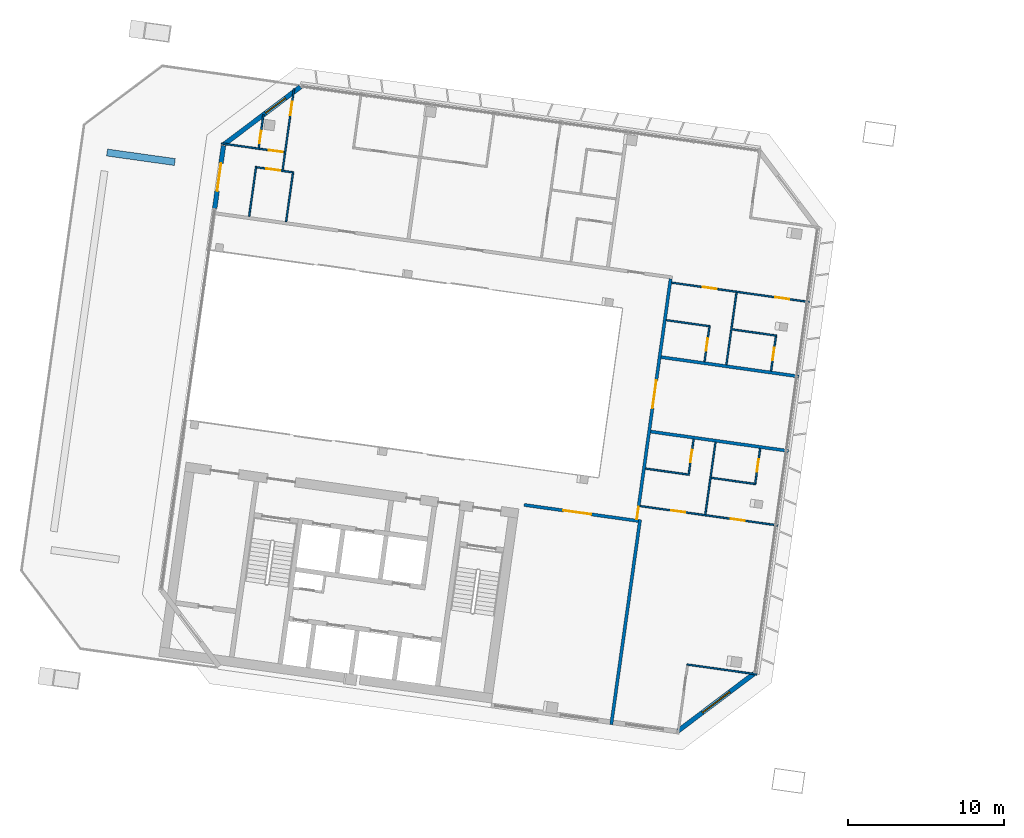
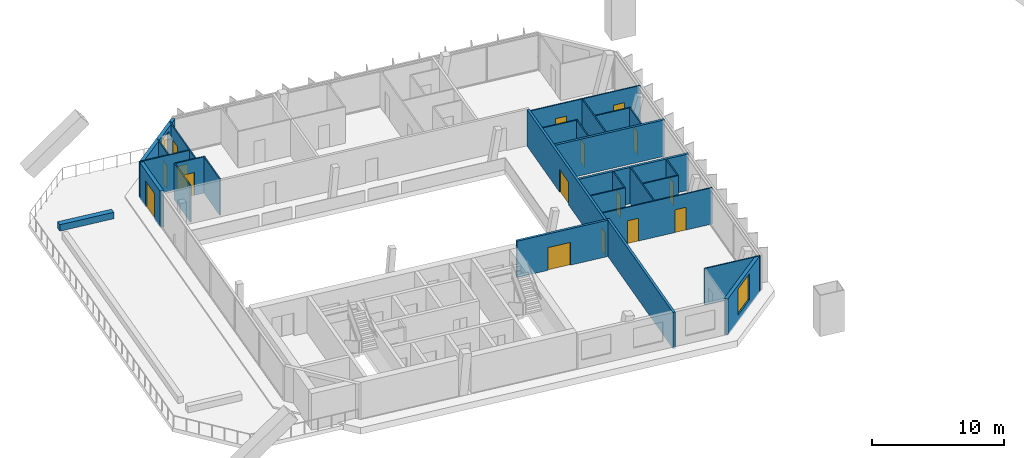
# One storey, part 10 of 17: 28 walls, 16 doors, 2 windows, 18 openings.
"""IFC4 building model written with IfcOpenShell, lengths in metres."""

from ifc_helpers import new_model, si_unit, direction, frame, frame_2d, origin, place, context, subcontext, project, spatial, rectangle, extrude, material, layer, layer_set, type_object, element, fill, save


model = new_model("IFC4")

# Units and contexts
model_context = context("Model", 3, precision=1e-05, world=origin(), true_north=direction((0.0, 1.0)))
body_context = subcontext(model_context, "Body", "Model", "MODEL_VIEW")
ifc_project = project(units=[si_unit("LENGTHUNIT", "METRE"), si_unit("AREAUNIT", "SQUARE_METRE"), si_unit("VOLUMEUNIT", "CUBIC_METRE"), si_unit("PLANEANGLEUNIT", "RADIAN"), si_unit("MASSUNIT", "GRAM", prefix="KILO")], contexts=[model_context])

# Site, building, storey
site_placement = place(None, origin())
site = spatial("IfcSite", under=ifc_project, at=site_placement, CompositionType="ELEMENT")
building_placement = place(site_placement, origin())
building = spatial("IfcBuilding", under=site, at=building_placement, Name="Mirante Cascada Hotel Towers", CompositionType="ELEMENT")
storey_placement = place(building_placement, frame((0.0, 0.0, 250.8)))
storey = spatial("IfcBuildingStorey", under=building, at=storey_placement, Name="L60", CompositionType="ELEMENT", Elevation=250.8)

# Wall, opening, door
ifc_material_1 = material(Name="Fire-rated plasterboard on metal studs")
ifc_layer_1 = layer(ifc_material_1, 0.2)
ifc_layer_set_1 = layer_set([ifc_layer_1], Name="Compartment wall 200 EI 120")
wall_type_1 = type_object("IfcWallType", Name="Compartment wall 200 EI 120", PredefinedType="PARTITIONING", material=ifc_layer_set_1)
wall_1_placement = place(storey_placement, frame((-35.2634, -7.1173, 0.0), z_axis=(0.0, 0.0, 1.0), x_axis=(0.9902678, -0.1391748, 0.0)))
wall_1 = element("IfcWall", 1, at=wall_1_placement, inside=storey, type_object=wall_type_1, Name="Wall 1-L60-02", PredefinedType="PARTITIONING", context=body_context, shape_type="SweptSolid", body=[
    extrude(rectangle(XDim=7.4108, YDim=0.2, at=frame_2d((3.7054, 0.0))), origin(), (0.0, 0.0, 1.0), 3.35),
])
opening_1_placement = place(wall_1_placement, frame((2.55, 0.0, 0.0)))
opening_1 = element("IfcOpeningElement", 2, at=opening_1_placement, cuts=wall_1, Name="Opening D1-L60-01", PredefinedType="OPENING", context=body_context, shape_type="SweptSolid", body=[
    extrude(rectangle(XDim=1.8, YDim=2.1, at=frame_2d((0.9, 1.05))), frame((0.0, 0.1, 0.0), z_axis=(0.0, -1.0, 0.0), x_axis=(1.0, 0.0, 0.0)), (0.0, 0.0, 1.0), 0.2),
])
ifc_material_2 = material(Name="Fire-rated timber door leaf", Category="wood")
door_type_1 = type_object("IfcDoorType", Name="Suite double door DG2 1800x2100 EI 60", OperationType="DOUBLE_DOOR_SINGLE_SWING", PredefinedType="DOOR", material=ifc_material_2)
door_1_placement = place(opening_1_placement, origin())
door_1 = element("IfcDoor", 3, at=door_1_placement, inside=storey, type_object=door_type_1, Name="Door D1-L60-01", OperationType="DOUBLE_DOOR_SINGLE_SWING", OverallHeight=2.1, OverallWidth=1.8, PredefinedType="DOOR", context=body_context, shape_type="SweptSolid", body=[
    extrude(rectangle(XDim=0.895, YDim=2.1, at=frame_2d((0.4475, 1.05))), frame((0.0, 0.025, 0.0), z_axis=(0.0, -1.0, 0.0), x_axis=(1.0, 0.0, 0.0)), (0.0, 0.0, 1.0), 0.05),
    extrude(rectangle(XDim=0.895, YDim=2.1, at=frame_2d((1.3525, 1.05))), frame((0.0, 0.025, 0.0), z_axis=(0.0, -1.0, 0.0), x_axis=(1.0, 0.0, 0.0)), (0.0, 0.0, 1.0), 0.05),
])
fill(opening_1, door_1)

# Walls
wall_2_placement = place(storey_placement, frame((-27.1282, -2.4036, 0.0), z_axis=(0.0, 0.0, 1.0), x_axis=(0.9902686, -0.1391696, 0.0)))
element("IfcWall", 4, at=wall_2_placement, inside=storey, type_object=wall_type_1, Name="Wall 1-L60-06", PredefinedType="PARTITIONING", context=body_context, shape_type="SweptSolid", body=[
    extrude(rectangle(XDim=8.9359, YDim=0.2, at=frame_2d((4.468, 0.0))), origin(), (0.0, 0.0, 1.0), 3.35),
])
wall_3_placement = place(storey_placement, frame((-17.6066, 1.139, 0.0), z_axis=(0.0, 0.0, 1.0), x_axis=(-0.9902672, 0.139179, 0.0)))
element("IfcWall", 5, at=wall_3_placement, inside=storey, type_object=wall_type_1, Name="Wall 1-L60-07", PredefinedType="PARTITIONING", context=body_context, shape_type="SweptSolid", body=[
    extrude(rectangle(XDim=8.936, YDim=0.2, at=frame_2d((4.468, 0.0))), origin(), (0.0, 0.0, 1.0), 3.35),
])
wall_4_placement = place(storey_placement, frame((-29.6628, -21.2341, 0.0), z_axis=(0.0, 0.0, 1.0), x_axis=(0.1391736, 0.990268, 0.0)))
element("IfcWall", 6, at=wall_4_placement, inside=storey, type_object=wall_type_1, Name="Wall 1-L60-27", PredefinedType="PARTITIONING", context=body_context, shape_type="SweptSolid", body=[
    extrude(rectangle(XDim=13.2999, YDim=0.2, at=frame_2d((6.65, 0.0))), origin(), (0.0, 0.0, 1.0), 3.35),
])

# Wall, openings, doors
wall_5_placement = place(storey_placement, frame((-25.8494, 7.414, 0.0), z_axis=(0.0, 0.0, 1.0), x_axis=(-0.1391783, -0.9902673, 0.0)))
wall_5 = element("IfcWall", 7, at=wall_5_placement, inside=storey, type_object=wall_type_1, Name="Wall 1-L60-28", PredefinedType="PARTITIONING", context=body_context, shape_type="SweptSolid", body=[
    extrude(rectangle(XDim=15.7, YDim=0.2, at=frame_2d((7.85, 0.0))), origin(), (0.0, 0.0, 1.0), 3.35),
])
opening_2_placement = place(wall_5_placement, frame((14.795, 0.0, 0.0)))
opening_2 = element("IfcOpeningElement", 8, at=opening_2_placement, cuts=wall_5, Name="Opening D1-L60-21", PredefinedType="OPENING", context=body_context, shape_type="SweptSolid", body=[
    extrude(rectangle(XDim=0.8, YDim=2.1, at=frame_2d((0.4, 1.05))), frame((0.0, 0.1, 0.0), z_axis=(0.0, -1.0, 0.0), x_axis=(1.0, 0.0, 0.0)), (0.0, 0.0, 1.0), 0.2),
])
opening_3_placement = place(wall_5_placement, frame((6.5834, 0.0, 0.0)))
opening_3 = element("IfcOpeningElement", 9, at=opening_3_placement, cuts=wall_5, Name="Opening D1-L60-22", PredefinedType="OPENING", context=body_context, shape_type="SweptSolid", body=[
    extrude(rectangle(XDim=1.8, YDim=2.1, at=frame_2d((0.9, 1.05))), frame((0.0, 0.1, 0.0), z_axis=(0.0, -1.0, 0.0), x_axis=(1.0, 0.0, 0.0)), (0.0, 0.0, 1.0), 0.2),
])
ifc_material_3 = material(Name="Fire-rated timber door leaf", Category="wood")
door_type_2 = type_object("IfcDoorType", Name="Bathroom door DG4 800x2100 EI 60", OperationType="SINGLE_SWING_LEFT", PredefinedType="DOOR", material=ifc_material_3)
door_2_placement = place(opening_2_placement, origin())
door_2 = element("IfcDoor", 10, at=door_2_placement, inside=storey, type_object=door_type_2, Name="Door D1-L60-21", OperationType="SINGLE_SWING_LEFT", OverallHeight=2.1, OverallWidth=0.8, PredefinedType="DOOR", context=body_context, shape_type="SweptSolid", body=[
    extrude(rectangle(XDim=0.8, YDim=2.1, at=frame_2d((0.4, 1.05))), frame((0.0, 0.025, 0.0), z_axis=(0.0, -1.0, 0.0), x_axis=(1.0, 0.0, 0.0)), (0.0, 0.0, 1.0), 0.05),
])
fill(opening_2, door_2)
door_3_placement = place(opening_3_placement, origin())
door_3 = element("IfcDoor", 11, at=door_3_placement, inside=storey, type_object=door_type_1, Name="Door D1-L60-22", OperationType="DOUBLE_DOOR_SINGLE_SWING", OverallHeight=2.1, OverallWidth=1.8, PredefinedType="DOOR", context=body_context, shape_type="SweptSolid", body=[
    extrude(rectangle(XDim=0.895, YDim=2.1, at=frame_2d((0.4475, 1.05))), frame((0.0, 0.025, 0.0), z_axis=(0.0, -1.0, 0.0), x_axis=(1.0, 0.0, 0.0)), (0.0, 0.0, 1.0), 0.05),
    extrude(rectangle(XDim=0.895, YDim=2.1, at=frame_2d((1.3525, 1.05))), frame((0.0, 0.025, 0.0), z_axis=(0.0, -1.0, 0.0), x_axis=(1.0, 0.0, 0.0)), (0.0, 0.0, 1.0), 0.05),
])
fill(opening_3, door_3)

# Wall
ifc_material_4 = material(Name="Plasterboard on metal studs")
ifc_layer_2 = layer(ifc_material_4, 0.1)
ifc_layer_set_2 = layer_set([ifc_layer_2], Name="Partition 100")
wall_type_2 = type_object("IfcWallType", Name="Partition 100", PredefinedType="PARTITIONING", material=ifc_layer_set_2)
wall_6_placement = place(storey_placement, frame((-20.2973, -18.0061, 0.0), z_axis=(0.0, 0.0, 1.0), x_axis=(-0.9902691, 0.1391656, 0.0)))
element("IfcWall", 12, at=wall_6_placement, inside=storey, type_object=wall_type_2, Name="Wall 1-L60-01", PredefinedType="PARTITIONING", context=body_context, shape_type="SweptSolid", body=[
    extrude(rectangle(XDim=4.55, YDim=0.1, at=frame_2d((2.275, 0.0))), origin(), (0.0, 0.0, 1.0), 3.35),
])

# Wall, openings, doors
wall_7_placement = place(storey_placement, frame((-18.952, -8.4335, 0.0), z_axis=(0.0, 0.0, 1.0), x_axis=(-0.9902686, 0.1391696, 0.0)))
wall_7 = element("IfcWall", 13, at=wall_7_placement, inside=storey, type_object=wall_type_2, Name="Wall 1-L60-03", PredefinedType="PARTITIONING", context=body_context, shape_type="SweptSolid", body=[
    extrude(rectangle(XDim=8.9359, YDim=0.1, at=frame_2d((4.468, 0.0))), origin(), (0.0, 0.0, 1.0), 3.35),
])
opening_4_placement = place(wall_7_placement, frame((2.15, 0.0, 0.0)))
opening_4 = element("IfcOpeningElement", 14, at=opening_4_placement, cuts=wall_7, Name="Opening D1-L60-02", PredefinedType="OPENING", context=body_context, shape_type="SweptSolid", body=[
    extrude(rectangle(XDim=0.9, YDim=2.1, at=frame_2d((0.45, 1.05))), frame((0.0, 0.05, 0.0), z_axis=(0.0, -1.0, 0.0), x_axis=(1.0, 0.0, 0.0)), (0.0, 0.0, 1.0), 0.1),
])
opening_5_placement = place(wall_7_placement, frame((6.0269, 0.0, 0.0)))
opening_5 = element("IfcOpeningElement", 15, at=opening_5_placement, cuts=wall_7, Name="Opening D1-L60-03", PredefinedType="OPENING", context=body_context, shape_type="SweptSolid", body=[
    extrude(rectangle(XDim=0.9, YDim=2.1, at=frame_2d((0.45, 1.05))), frame((0.0, 0.05, 0.0), z_axis=(0.0, -1.0, 0.0), x_axis=(1.0, 0.0, 0.0)), (0.0, 0.0, 1.0), 0.1),
])
ifc_material_5 = material(Name="Timber door leaf", Category="wood")
door_type_3 = type_object("IfcDoorType", Name="Room door DG3 900x2100", OperationType="SINGLE_SWING_LEFT", PredefinedType="DOOR", material=ifc_material_5)
door_4_placement = place(opening_4_placement, origin())
door_4 = element("IfcDoor", 16, at=door_4_placement, inside=storey, type_object=door_type_3, Name="Door D1-L60-02", OperationType="SINGLE_SWING_LEFT", OverallHeight=2.1, OverallWidth=0.9, PredefinedType="DOOR", context=body_context, shape_type="SweptSolid", body=[
    extrude(rectangle(XDim=0.9, YDim=2.1, at=frame_2d((0.45, 1.05))), frame((0.0, 0.025, 0.0), z_axis=(0.0, -1.0, 0.0), x_axis=(1.0, 0.0, 0.0)), (0.0, 0.0, 1.0), 0.05),
])
fill(opening_4, door_4)
door_5_placement = place(opening_5_placement, origin())
door_5 = element("IfcDoor", 17, at=door_5_placement, inside=storey, type_object=door_type_3, Name="Door D1-L60-03", OperationType="SINGLE_SWING_LEFT", OverallHeight=2.1, OverallWidth=0.9, PredefinedType="DOOR", context=body_context, shape_type="SweptSolid", body=[
    extrude(rectangle(XDim=0.9, YDim=2.1, at=frame_2d((0.45, 1.05))), frame((0.0, 0.025, 0.0), z_axis=(0.0, -1.0, 0.0), x_axis=(1.0, 0.0, 0.0)), (0.0, 0.0, 1.0), 0.05),
])
fill(opening_5, door_5)

# Walls
wall_8_placement = place(storey_placement, frame((-23.2358, -5.3742, 0.0), z_axis=(0.0, 0.0, 1.0), x_axis=(0.9902683, -0.1391714, 0.0)))
element("IfcWall", 18, at=wall_8_placement, inside=storey, type_object=wall_type_2, Name="Wall 1-L60-04", PredefinedType="PARTITIONING", context=body_context, shape_type="SweptSolid", body=[
    extrude(rectangle(XDim=2.9, YDim=0.1, at=frame_2d((1.45, 0.0))), origin(), (0.0, 0.0, 1.0), 3.35),
])
wall_9_placement = place(storey_placement, frame((-24.64, -5.1769, 0.0), z_axis=(0.0, 0.0, 1.0), x_axis=(-0.9902649, 0.1391957, 0.0)))
element("IfcWall", 19, at=wall_9_placement, inside=storey, type_object=wall_type_2, Name="Wall 1-L60-05", PredefinedType="PARTITIONING", context=body_context, shape_type="SweptSolid", body=[
    extrude(rectangle(XDim=2.8499, YDim=0.1, at=frame_2d((1.425, 0.0))), origin(), (0.0, 0.0, 1.0), 3.35),
])
wall_10_placement = place(storey_placement, frame((-21.8951, 4.1653, 0.0), z_axis=(0.0, 0.0, 1.0), x_axis=(0.9902683, -0.1391714, 0.0)))
element("IfcWall", 20, at=wall_10_placement, inside=storey, type_object=wall_type_2, Name="Wall 1-L60-08", PredefinedType="PARTITIONING", context=body_context, shape_type="SweptSolid", body=[
    extrude(rectangle(XDim=2.9, YDim=0.1, at=frame_2d((1.45, 0.0))), origin(), (0.0, 0.0, 1.0), 3.35),
])
wall_11_placement = place(storey_placement, frame((-23.2993, 4.3627, 0.0), z_axis=(0.0, 0.0, 1.0), x_axis=(-0.9902697, 0.1391613, 0.0)))
element("IfcWall", 21, at=wall_11_placement, inside=storey, type_object=wall_type_2, Name="Wall 1-L60-09", PredefinedType="PARTITIONING", context=body_context, shape_type="SweptSolid", body=[
    extrude(rectangle(XDim=2.8499, YDim=0.1, at=frame_2d((1.425, 0.0))), origin(), (0.0, 0.0, 1.0), 3.35),
])

# Wall, openings, doors
wall_12_placement = place(storey_placement, frame((-25.7829, 7.169, 0.0), z_axis=(0.0, 0.0, 1.0), x_axis=(0.9902688, -0.1391681, 0.0)))
wall_12 = element("IfcWall", 22, at=wall_12_placement, inside=storey, type_object=wall_type_2, Name="Wall 1-L60-10", PredefinedType="PARTITIONING", context=body_context, shape_type="SweptSolid", body=[
    extrude(rectangle(XDim=8.936, YDim=0.1, at=frame_2d((4.468, 0.0))), origin(), (0.0, 0.0, 1.0), 3.35),
])
opening_6_placement = place(wall_12_placement, frame((6.727, 0.0, 0.0)))
opening_6 = element("IfcOpeningElement", 23, at=opening_6_placement, cuts=wall_12, Name="Opening D1-L60-04", PredefinedType="OPENING", context=body_context, shape_type="SweptSolid", body=[
    extrude(rectangle(XDim=0.9, YDim=2.1, at=frame_2d((0.45, 1.05))), frame((0.0, 0.05, 0.0), z_axis=(0.0, -1.0, 0.0), x_axis=(1.0, 0.0, 0.0)), (0.0, 0.0, 1.0), 0.1),
])
opening_7_placement = place(wall_12_placement, frame((2.009, 0.0, 0.0)))
opening_7 = element("IfcOpeningElement", 24, at=opening_7_placement, cuts=wall_12, Name="Opening D1-L60-05", PredefinedType="OPENING", context=body_context, shape_type="SweptSolid", body=[
    extrude(rectangle(XDim=0.9, YDim=2.1, at=frame_2d((0.45, 1.05))), frame((0.0, 0.05, 0.0), z_axis=(0.0, -1.0, 0.0), x_axis=(1.0, 0.0, 0.0)), (0.0, 0.0, 1.0), 0.1),
])
door_6_placement = place(opening_6_placement, origin())
door_6 = element("IfcDoor", 25, at=door_6_placement, inside=storey, type_object=door_type_3, Name="Door D1-L60-04", OperationType="SINGLE_SWING_LEFT", OverallHeight=2.1, OverallWidth=0.9, PredefinedType="DOOR", context=body_context, shape_type="SweptSolid", body=[
    extrude(rectangle(XDim=0.9, YDim=2.1, at=frame_2d((0.45, 1.05))), frame((0.0, 0.025, 0.0), z_axis=(0.0, -1.0, 0.0), x_axis=(1.0, 0.0, 0.0)), (0.0, 0.0, 1.0), 0.05),
])
fill(opening_6, door_6)
door_7_placement = place(opening_7_placement, origin())
door_7 = element("IfcDoor", 26, at=door_7_placement, inside=storey, type_object=door_type_3, Name="Door D1-L60-05", OperationType="SINGLE_SWING_LEFT", OverallHeight=2.1, OverallWidth=0.9, PredefinedType="DOOR", context=body_context, shape_type="SweptSolid", body=[
    extrude(rectangle(XDim=0.9, YDim=2.1, at=frame_2d((0.45, 1.05))), frame((0.0, 0.025, 0.0), z_axis=(0.0, -1.0, 0.0), x_axis=(1.0, 0.0, 0.0)), (0.0, 0.0, 1.0), 0.05),
])
fill(opening_7, door_7)

# Wall, opening, door
wall_13_placement = place(storey_placement, frame((-50.1675, 14.2651, 0.0), z_axis=(0.0, 0.0, 1.0), x_axis=(-0.9902678, 0.1391749, 0.0)))
wall_13 = element("IfcWall", 27, at=wall_13_placement, inside=storey, type_object=wall_type_2, Name="Wall 1-L60-13", PredefinedType="PARTITIONING", context=body_context, shape_type="SweptSolid", body=[
    extrude(rectangle(XDim=2.3, YDim=0.1, at=frame_2d((1.15, 0.0))), origin(), (0.0, 0.0, 1.0), 3.35),
])
opening_8_placement = place(wall_13_placement, frame((0.7849, 0.0, 0.0)))
opening_8 = element("IfcOpeningElement", 28, at=opening_8_placement, cuts=wall_13, Name="Opening D1-L60-10", PredefinedType="OPENING", context=body_context, shape_type="SweptSolid", body=[
    extrude(rectangle(XDim=0.9, YDim=2.1, at=frame_2d((0.45, 1.05))), frame((0.0, 0.05, 0.0), z_axis=(0.0, -1.0, 0.0), x_axis=(1.0, 0.0, 0.0)), (0.0, 0.0, 1.0), 0.1),
])
door_8_placement = place(opening_8_placement, origin())
door_8 = element("IfcDoor", 29, at=door_8_placement, inside=storey, type_object=door_type_3, Name="Door D1-L60-10", OperationType="SINGLE_SWING_LEFT", OverallHeight=2.1, OverallWidth=0.9, PredefinedType="DOOR", context=body_context, shape_type="SweptSolid", body=[
    extrude(rectangle(XDim=0.9, YDim=2.1, at=frame_2d((0.45, 1.05))), frame((0.0, 0.025, 0.0), z_axis=(0.0, -1.0, 0.0), x_axis=(1.0, 0.0, 0.0)), (0.0, 0.0, 1.0), 0.05),
])
fill(opening_8, door_8)

wall_14_placement = place(storey_placement, frame((-54.7192, 16.1166, 0.0), z_axis=(0.0, 0.0, 1.0), x_axis=(0.9902666, -0.1391839, 0.0)))
wall_14 = element("IfcWall", 30, at=wall_14_placement, inside=storey, type_object=wall_type_2, Name="Wall 1-L60-16", PredefinedType="PARTITIONING", context=body_context, shape_type="SweptSolid", body=[
    extrude(rectangle(XDim=4.0802, YDim=0.1, at=frame_2d((2.0401, 0.0))), origin(), (0.0, 0.0, 1.0), 3.35),
])
opening_9_placement = place(wall_14_placement, frame((3.0802, 0.0, 0.0)))
opening_9 = element("IfcOpeningElement", 31, at=opening_9_placement, cuts=wall_14, Name="Opening D1-L60-11", PredefinedType="OPENING", context=body_context, shape_type="SweptSolid", body=[
    extrude(rectangle(XDim=0.9, YDim=2.1, at=frame_2d((0.45, 1.05))), frame((0.0, 0.05, 0.0), z_axis=(0.0, -1.0, 0.0), x_axis=(1.0, 0.0, 0.0)), (0.0, 0.0, 1.0), 0.1),
])
door_9_placement = place(opening_9_placement, frame((0.9, 0.0, 0.0), z_axis=(0.0, 0.0, 1.0), x_axis=(-1.0, 0.0, 0.0)))
door_9 = element("IfcDoor", 32, at=door_9_placement, inside=storey, type_object=door_type_3, Name="Door D1-L60-11", OperationType="SINGLE_SWING_RIGHT", OverallHeight=2.1, OverallWidth=0.9, PredefinedType="DOOR", context=body_context, shape_type="SweptSolid", body=[
    extrude(rectangle(XDim=0.9, YDim=2.1, at=frame_2d((0.45, 1.05))), frame((0.0, 0.025, 0.0), z_axis=(0.0, -1.0, 0.0), x_axis=(1.0, 0.0, 0.0)), (0.0, 0.0, 1.0), 0.05),
])
fill(opening_9, door_9)

wall_15_placement = place(storey_placement, frame((-20.4066, -5.7214, 0.0), z_axis=(0.0, 0.0, 1.0), x_axis=(0.1391997, 0.9902643, 0.0)))
wall_15 = element("IfcWall", 33, at=wall_15_placement, inside=storey, type_object=wall_type_2, Name="Wall 1-L60-19", PredefinedType="PARTITIONING", context=body_context, shape_type="SweptSolid", body=[
    extrude(rectangle(XDim=2.25, YDim=0.1, at=frame_2d((1.125, 0.0))), origin(), (0.0, 0.0, 1.0), 3.35),
])
opening_10_placement = place(wall_15_placement, frame((0.75, 0.0, 0.0)))
opening_10 = element("IfcOpeningElement", 34, at=opening_10_placement, cuts=wall_15, Name="Opening D1-L60-15", PredefinedType="OPENING", context=body_context, shape_type="SweptSolid", body=[
    extrude(rectangle(XDim=0.8, YDim=2.1, at=frame_2d((0.4, 1.05))), frame((0.0, 0.05, 0.0), z_axis=(0.0, -1.0, 0.0), x_axis=(1.0, 0.0, 0.0)), (0.0, 0.0, 1.0), 0.1),
])
ifc_material_6 = material(Name="Timber door leaf", Category="wood")
door_type_4 = type_object("IfcDoorType", Name="Bathroom door DG4 800x2100", OperationType="SINGLE_SWING_LEFT", PredefinedType="DOOR", material=ifc_material_6)
door_10_placement = place(opening_10_placement, origin())
door_10 = element("IfcDoor", 35, at=door_10_placement, inside=storey, type_object=door_type_4, Name="Door D1-L60-15", OperationType="SINGLE_SWING_LEFT", OverallHeight=2.1, OverallWidth=0.8, PredefinedType="DOOR", context=body_context, shape_type="SweptSolid", body=[
    extrude(rectangle(XDim=0.8, YDim=2.1, at=frame_2d((0.4, 1.05))), frame((0.0, 0.025, 0.0), z_axis=(0.0, -1.0, 0.0), x_axis=(1.0, 0.0, 0.0)), (0.0, 0.0, 1.0), 0.05),
])
fill(opening_10, door_10)

wall_16_placement = place(storey_placement, frame((-19.0798, 3.7192, 0.0), z_axis=(0.0, 0.0, 1.0), x_axis=(-0.1391561, -0.9902705, 0.0)))
wall_16 = element("IfcWall", 36, at=wall_16_placement, inside=storey, type_object=wall_type_2, Name="Wall 1-L60-20", PredefinedType="PARTITIONING", context=body_context, shape_type="SweptSolid", body=[
    extrude(rectangle(XDim=2.25, YDim=0.1, at=frame_2d((1.125, 0.0))), origin(), (0.0, 0.0, 1.0), 3.35),
])
opening_11_placement = place(wall_16_placement, frame((0.75, 0.0, 0.0)))
opening_11 = element("IfcOpeningElement", 37, at=opening_11_placement, cuts=wall_16, Name="Opening D1-L60-16", PredefinedType="OPENING", context=body_context, shape_type="SweptSolid", body=[
    extrude(rectangle(XDim=0.8, YDim=2.1, at=frame_2d((0.4, 1.05))), frame((0.0, 0.05, 0.0), z_axis=(0.0, -1.0, 0.0), x_axis=(1.0, 0.0, 0.0)), (0.0, 0.0, 1.0), 0.1),
])
door_11_placement = place(opening_11_placement, frame((0.8, 0.0, 0.0), z_axis=(0.0, 0.0, 1.0), x_axis=(-1.0, 0.0, 0.0)))
door_11 = element("IfcDoor", 38, at=door_11_placement, inside=storey, type_object=door_type_4, Name="Door D1-L60-16", OperationType="SINGLE_SWING_RIGHT", OverallHeight=2.1, OverallWidth=0.8, PredefinedType="DOOR", context=body_context, shape_type="SweptSolid", body=[
    extrude(rectangle(XDim=0.8, YDim=2.1, at=frame_2d((0.4, 1.05))), frame((0.0, 0.025, 0.0), z_axis=(0.0, -1.0, 0.0), x_axis=(1.0, 0.0, 0.0)), (0.0, 0.0, 1.0), 0.05),
])
fill(opening_11, door_11)

# Walls
wall_17_placement = place(storey_placement, frame((-23.617, -7.7274, 0.0), z_axis=(0.0, 0.0, 1.0), x_axis=(0.139176, 0.9902677, 0.0)))
element("IfcWall", 39, at=wall_17_placement, inside=storey, type_object=wall_type_2, Name="Wall 1-L60-23", PredefinedType="PARTITIONING", context=body_context, shape_type="SweptSolid", body=[
    extrude(rectangle(XDim=4.6833, YDim=0.1, at=frame_2d((2.3416, 0.0))), origin(), (0.0, 0.0, 1.0), 3.35),
])
wall_18_placement = place(storey_placement, frame((-21.6129, 6.5325, 0.0), z_axis=(0.0, 0.0, 1.0), x_axis=(-0.139173, -0.9902681, 0.0)))
element("IfcWall", 40, at=wall_18_placement, inside=storey, type_object=wall_type_2, Name="Wall 1-L60-24", PredefinedType="PARTITIONING", context=body_context, shape_type="SweptSolid", body=[
    extrude(rectangle(XDim=4.6834, YDim=0.1, at=frame_2d((2.3417, 0.0))), origin(), (0.0, 0.0, 1.0), 3.35),
])

# Wall, opening, door
wall_19_placement = place(storey_placement, frame((-24.6825, -5.1204, 0.0), z_axis=(0.0, 0.0, 1.0), x_axis=(0.1391561, 0.9902705, 0.0)))
wall_19 = element("IfcWall", 41, at=wall_19_placement, inside=storey, type_object=wall_type_2, Name="Wall 1-L60-25", PredefinedType="PARTITIONING", context=body_context, shape_type="SweptSolid", body=[
    extrude(rectangle(XDim=2.25, YDim=0.1, at=frame_2d((1.125, 0.0))), origin(), (0.0, 0.0, 1.0), 3.35),
])
opening_12_placement = place(wall_19_placement, frame((0.75, 0.0, 0.0)))
opening_12 = element("IfcOpeningElement", 42, at=opening_12_placement, cuts=wall_19, Name="Opening D1-L60-19", PredefinedType="OPENING", context=body_context, shape_type="SweptSolid", body=[
    extrude(rectangle(XDim=0.8, YDim=2.1, at=frame_2d((0.4, 1.05))), frame((0.0, 0.05, 0.0), z_axis=(0.0, -1.0, 0.0), x_axis=(1.0, 0.0, 0.0)), (0.0, 0.0, 1.0), 0.1),
])
door_12_placement = place(opening_12_placement, origin())
door_12 = element("IfcDoor", 43, at=door_12_placement, inside=storey, type_object=door_type_4, Name="Door D1-L60-19", OperationType="SINGLE_SWING_LEFT", OverallHeight=2.1, OverallWidth=0.8, PredefinedType="DOOR", context=body_context, shape_type="SweptSolid", body=[
    extrude(rectangle(XDim=0.8, YDim=2.1, at=frame_2d((0.4, 1.05))), frame((0.0, 0.025, 0.0), z_axis=(0.0, -1.0, 0.0), x_axis=(1.0, 0.0, 0.0)), (0.0, 0.0, 1.0), 0.05),
])
fill(opening_12, door_12)

wall_20_placement = place(storey_placement, frame((-23.3557, 4.3201, 0.0), z_axis=(0.0, 0.0, 1.0), x_axis=(-0.1391997, -0.9902643, 0.0)))
wall_20 = element("IfcWall", 44, at=wall_20_placement, inside=storey, type_object=wall_type_2, Name="Wall 1-L60-26", PredefinedType="PARTITIONING", context=body_context, shape_type="SweptSolid", body=[
    extrude(rectangle(XDim=2.25, YDim=0.1, at=frame_2d((1.125, 0.0))), origin(), (0.0, 0.0, 1.0), 3.35),
])
opening_13_placement = place(wall_20_placement, frame((0.75, 0.0, 0.0)))
opening_13 = element("IfcOpeningElement", 45, at=opening_13_placement, cuts=wall_20, Name="Opening D1-L60-20", PredefinedType="OPENING", context=body_context, shape_type="SweptSolid", body=[
    extrude(rectangle(XDim=0.8, YDim=2.1, at=frame_2d((0.4, 1.05))), frame((0.0, 0.05, 0.0), z_axis=(0.0, -1.0, 0.0), x_axis=(1.0, 0.0, 0.0)), (0.0, 0.0, 1.0), 0.1),
])
door_13_placement = place(opening_13_placement, frame((0.8, 0.0, 0.0), z_axis=(0.0, 0.0, 1.0), x_axis=(-1.0, 0.0, 0.0)))
door_13 = element("IfcDoor", 46, at=door_13_placement, inside=storey, type_object=door_type_4, Name="Door D1-L60-20", OperationType="SINGLE_SWING_RIGHT", OverallHeight=2.1, OverallWidth=0.8, PredefinedType="DOOR", context=body_context, shape_type="SweptSolid", body=[
    extrude(rectangle(XDim=0.8, YDim=2.1, at=frame_2d((0.4, 1.05))), frame((0.0, 0.025, 0.0), z_axis=(0.0, -1.0, 0.0), x_axis=(1.0, 0.0, 0.0)), (0.0, 0.0, 1.0), 0.05),
])
fill(opening_13, door_13)

# Wall
wall_21_placement = place(storey_placement, frame((-50.111, 14.3076, 0.0), z_axis=(0.0, 0.0, 1.0), x_axis=(-0.1391681, -0.9902688, 0.0)))
element("IfcWall", 47, at=wall_21_placement, inside=storey, type_object=wall_type_2, Name="Wall 1-L60-36", PredefinedType="PARTITIONING", context=body_context, shape_type="SweptSolid", body=[
    extrude(rectangle(XDim=3.25, YDim=0.1, at=frame_2d((1.625, 0.0))), origin(), (0.0, 0.0, 1.0), 3.35),
])

# Wall, opening, door
wall_22_placement = place(storey_placement, frame((-50.7893, 14.4029, 0.0), z_axis=(0.0, 0.0, 1.0), x_axis=(0.1391779, 0.9902674, 0.0)))
wall_22 = element("IfcWall", 48, at=wall_22_placement, inside=storey, type_object=wall_type_2, Name="Wall 1-L60-37", PredefinedType="PARTITIONING", context=body_context, shape_type="SweptSolid", body=[
    extrude(rectangle(XDim=5.2803, YDim=0.1, at=frame_2d((2.6402, 0.0))), origin(), (0.0, 0.0, 1.0), 3.35),
])
opening_14_placement = place(wall_22_placement, frame((3.55, 0.0, 0.0)))
opening_14 = element("IfcOpeningElement", 49, at=opening_14_placement, cuts=wall_22, Name="Opening D1-L60-25", PredefinedType="OPENING", context=body_context, shape_type="SweptSolid", body=[
    extrude(rectangle(XDim=0.9, YDim=2.1, at=frame_2d((0.45, 1.05))), frame((0.0, 0.05, 0.0), z_axis=(0.0, -1.0, 0.0), x_axis=(1.0, 0.0, 0.0)), (0.0, 0.0, 1.0), 0.1),
])
door_14_placement = place(opening_14_placement, frame((0.9, 0.0, 0.0), z_axis=(0.0, 0.0, 1.0), x_axis=(-1.0, 0.0, 0.0)))
door_14 = element("IfcDoor", 50, at=door_14_placement, inside=storey, type_object=door_type_3, Name="Door D1-L60-25", OperationType="SINGLE_SWING_RIGHT", OverallHeight=2.1, OverallWidth=0.9, PredefinedType="DOOR", context=body_context, shape_type="SweptSolid", body=[
    extrude(rectangle(XDim=0.9, YDim=2.1, at=frame_2d((0.45, 1.05))), frame((0.0, 0.025, 0.0), z_axis=(0.0, -1.0, 0.0), x_axis=(1.0, 0.0, 0.0)), (0.0, 0.0, 1.0), 0.05),
])
fill(opening_14, door_14)

# Wall
wall_23_placement = place(storey_placement, frame((-52.4877, 14.6416, 0.0), z_axis=(0.0, 0.0, 1.0), x_axis=(-0.1391723, -0.9902682, 0.0)))
element("IfcWall", 51, at=wall_23_placement, inside=storey, type_object=wall_type_2, Name="Wall 1-L60-38", PredefinedType="PARTITIONING", context=body_context, shape_type="SweptSolid", body=[
    extrude(rectangle(XDim=3.2499, YDim=0.1, at=frame_2d((1.6249, 0.0))), origin(), (0.0, 0.0, 1.0), 3.35),
])

# Wall, opening, door
wall_24_placement = place(storey_placement, frame((-52.3207, 15.83, 0.0), z_axis=(0.0, 0.0, 1.0), x_axis=(0.1392095, 0.9902629, 0.0)))
wall_24 = element("IfcWall", 52, at=wall_24_placement, inside=storey, type_object=wall_type_2, Name="Wall 1-L60-39", PredefinedType="PARTITIONING", context=body_context, shape_type="SweptSolid", body=[
    extrude(rectangle(XDim=2.1651, YDim=0.1, at=frame_2d((1.0825, 0.0))), origin(), (0.0, 0.0, 1.0), 3.35),
])
opening_15_placement = place(wall_24_placement, frame((0.3, 0.0, 0.0)))
opening_15 = element("IfcOpeningElement", 53, at=opening_15_placement, cuts=wall_24, Name="Opening D1-L60-26", PredefinedType="OPENING", context=body_context, shape_type="SweptSolid", body=[
    extrude(rectangle(XDim=0.8, YDim=2.1, at=frame_2d((0.4, 1.05))), frame((0.0, 0.05, 0.0), z_axis=(0.0, -1.0, 0.0), x_axis=(1.0, 0.0, 0.0)), (0.0, 0.0, 1.0), 0.1),
])
door_15_placement = place(opening_15_placement, frame((0.8, 0.0, 0.0), z_axis=(0.0, 0.0, 1.0), x_axis=(-1.0, 0.0, 0.0)))
door_15 = element("IfcDoor", 54, at=door_15_placement, inside=storey, type_object=door_type_4, Name="Door D1-L60-26", OperationType="SINGLE_SWING_RIGHT", OverallHeight=2.1, OverallWidth=0.8, PredefinedType="DOOR", context=body_context, shape_type="SweptSolid", body=[
    extrude(rectangle(XDim=0.8, YDim=2.1, at=frame_2d((0.4, 1.05))), frame((0.0, 0.025, 0.0), z_axis=(0.0, -1.0, 0.0), x_axis=(1.0, 0.0, 0.0)), (0.0, 0.0, 1.0), 0.05),
])
fill(opening_15, door_15)

# Wall
ifc_material_7 = material(Name="Precast concrete C40/50", Category="concrete")
ifc_layer_3 = layer(ifc_material_7, 0.45)
ifc_layer_set_3 = layer_set([ifc_layer_3], Name="Planter wall 450 concrete C40/50")
wall_type_3 = type_object("IfcWallType", Name="Planter wall 450 concrete C40/50", PredefinedType="PARAPET", material=ifc_layer_set_3)
wall_25_placement = place(storey_placement, frame((-57.7147, 14.9218, 0.0), z_axis=(0.0, 0.0, 1.0), x_axis=(-0.9902665, 0.1391841, 0.0)))
element("IfcWall", 55, at=wall_25_placement, inside=storey, type_object=wall_type_3, Name="PLANTER T1 L60 bed 2", PredefinedType="PARAPET", context=body_context, shape_type="SweptSolid", body=[
    extrude(rectangle(XDim=4.3999, YDim=0.45, at=frame_2d((2.2, 0.0))), origin(), (0.0, 0.0, 1.0), 0.6),
])

# Wall, opening, window
ifc_material_8 = material(Name="Precast concrete C40/50", Category="concrete")
ifc_layer_4 = layer(ifc_material_8, 0.3)
ifc_layer_set_4 = layer_set([ifc_layer_4], Name="Precast concrete C40/50 cladding wall 300")
wall_type_4 = type_object("IfcWallType", Name="Precast concrete C40/50 cladding wall 300", PredefinedType="STANDARD", material=ifc_layer_set_4)
wall_26_placement = place(storey_placement, frame((-54.5298, 16.0715, 0.0), z_axis=(0.0, 0.0, 1.0), x_axis=(0.7986362, 0.6018141, 0.0)))
wall_26 = element("IfcWall", 56, at=wall_26_placement, inside=storey, type_object=wall_type_4, Name="Corner cladding wall T1 L60 outer front", PredefinedType="STANDARD", context=body_context, shape_type="SweptSolid", body=[
    extrude(rectangle(XDim=6.1157, YDim=0.3, at=frame_2d((3.0578, 0.0))), origin(), (0.0, 0.0, 1.0), 3.35),
])
opening_16_placement = place(wall_26_placement, frame((3.3157, 0.0, 0.6)))
opening_16 = element("IfcOpeningElement", 57, at=opening_16_placement, cuts=wall_26, Name="Opening W1-60-05", PredefinedType="OPENING", context=body_context, shape_type="SweptSolid", body=[
    extrude(rectangle(XDim=1.6, YDim=2.4, at=frame_2d((0.8, 1.2))), frame((0.0, 0.15, 0.0), z_axis=(0.0, -1.0, 0.0), x_axis=(1.0, 0.0, 0.0)), (0.0, 0.0, 1.0), 0.3),
])
ifc_material_9 = material(Name="Aluminium frame with clear double glazing", Category="aluminium")
window_type_1 = type_object("IfcWindowType", Name="Corner suite window 1600x2400", PartitioningType="DOUBLE_PANEL_VERTICAL", PredefinedType="WINDOW", material=ifc_material_9)
window_1_placement = place(opening_16_placement, origin())
window_1 = element("IfcWindow", 58, at=window_1_placement, inside=storey, type_object=window_type_1, Name="Window W1-60-05", OverallHeight=2.4, OverallWidth=1.6, PartitioningType="SINGLE_PANEL", PredefinedType="WINDOW", context=body_context, shape_type="SweptSolid", body=[
    extrude(rectangle(XDim=1.6, YDim=2.4, at=frame_2d((0.8, 1.2))), frame((0.0, 0.03, 0.0), z_axis=(0.0, -1.0, 0.0), x_axis=(1.0, 0.0, 0.0)), (0.0, 0.0, 1.0), 0.06),
])
fill(opening_16, window_1)

wall_27_placement = place(storey_placement, frame((-20.4867, -17.961, 0.0), z_axis=(0.0, 0.0, 1.0), x_axis=(-0.7986283, -0.6018245, 0.0)))
wall_27 = element("IfcWall", 59, at=wall_27_placement, inside=storey, type_object=wall_type_4, Name="Corner cladding wall T1 L60 inner rear", PredefinedType="STANDARD", context=body_context, shape_type="SweptSolid", body=[
    extrude(rectangle(XDim=6.1157, YDim=0.3, at=frame_2d((3.0578, 0.0))), origin(), (0.0, 0.0, 1.0), 3.35),
])
opening_17_placement = place(wall_27_placement, frame((1.9578, 0.0, 0.6)))
opening_17 = element("IfcOpeningElement", 60, at=opening_17_placement, cuts=wall_27, Name="Opening W1-60-07", PredefinedType="OPENING", context=body_context, shape_type="SweptSolid", body=[
    extrude(rectangle(XDim=2.2, YDim=2.4, at=frame_2d((1.1, 1.2))), frame((0.0, 0.15, 0.0), z_axis=(0.0, -1.0, 0.0), x_axis=(1.0, 0.0, 0.0)), (0.0, 0.0, 1.0), 0.3),
])
ifc_material_10 = material(Name="Aluminium frame with clear double glazing", Category="aluminium")
window_type_2 = type_object("IfcWindowType", Name="Corner suite window 2200x2400", PartitioningType="DOUBLE_PANEL_VERTICAL", PredefinedType="WINDOW", material=ifc_material_10)
window_2_placement = place(opening_17_placement, origin())
window_2 = element("IfcWindow", 61, at=window_2_placement, inside=storey, type_object=window_type_2, Name="Window W1-60-07", OverallHeight=2.4, OverallWidth=2.2, PartitioningType="SINGLE_PANEL", PredefinedType="WINDOW", context=body_context, shape_type="SweptSolid", body=[
    extrude(rectangle(XDim=2.2, YDim=2.4, at=frame_2d((1.1, 1.2))), frame((0.0, 0.03, 0.0), z_axis=(0.0, -1.0, 0.0), x_axis=(1.0, 0.0, 0.0)), (0.0, 0.0, 1.0), 0.06),
])
fill(opening_17, window_2)

# Wall, opening, door
ifc_material_11 = material(Name="Precast concrete C40/50", Category="concrete")
ifc_layer_5 = layer(ifc_material_11, 0.3)
ifc_layer_set_5 = layer_set([ifc_layer_5], Name="Precast concrete C40/50 terrace wall 300")
wall_type_5 = type_object("IfcWallType", Name="Precast concrete C40/50 terrace wall 300", PredefinedType="STANDARD", material=ifc_layer_set_5)
wall_28_placement = place(storey_placement, frame((-55.1552, 11.9366, 0.0), z_axis=(0.0, 0.0, 1.0), x_axis=(0.1391609, 0.9902698, 0.0)))
wall_28 = element("IfcWall", 62, at=wall_28_placement, inside=storey, type_object=wall_type_5, Name="Lounge door pier wall T1 L60 2", PredefinedType="STANDARD", context=body_context, shape_type="SweptSolid", body=[
    extrude(rectangle(XDim=4.0759, YDim=0.3, at=frame_2d((2.038, 0.0))), origin(), (0.0, 0.0, 1.0), 3.35),
])
opening_18_placement = place(wall_28_placement, frame((1.1379, 0.0, 0.0)))
opening_18 = element("IfcOpeningElement", 63, at=opening_18_placement, cuts=wall_28, Name="Opening D1-60-91", PredefinedType="OPENING", context=body_context, shape_type="SweptSolid", body=[
    extrude(rectangle(XDim=1.8, YDim=2.4, at=frame_2d((0.9, 1.2))), frame((0.0, 0.15, 0.0), z_axis=(0.0, -1.0, 0.0), x_axis=(1.0, 0.0, 0.0)), (0.0, 0.0, 1.0), 0.3),
])
ifc_material_12 = material(Name="Aluminium frame with clear laminated glazing", Category="aluminium")
door_type_5 = type_object("IfcDoorType", Name="Terrace double door 1800x2400", OperationType="DOUBLE_DOOR_SINGLE_SWING", PredefinedType="DOOR", material=ifc_material_12)
door_16_placement = place(opening_18_placement, origin())
door_16 = element("IfcDoor", 64, at=door_16_placement, inside=storey, type_object=door_type_5, Name="Terrace door D1-60-91", OperationType="DOUBLE_DOOR_SINGLE_SWING", OverallHeight=2.4, OverallWidth=1.8, PredefinedType="DOOR", context=body_context, shape_type="SweptSolid", body=[
    extrude(rectangle(XDim=0.895, YDim=2.4, at=frame_2d((0.4475, 1.2))), frame((0.0, 0.025, 0.0), z_axis=(0.0, -1.0, 0.0), x_axis=(1.0, 0.0, 0.0)), (0.0, 0.0, 1.0), 0.05),
    extrude(rectangle(XDim=0.895, YDim=2.4, at=frame_2d((1.3525, 1.2))), frame((0.0, 0.025, 0.0), z_axis=(0.0, -1.0, 0.0), x_axis=(1.0, 0.0, 0.0)), (0.0, 0.0, 1.0), 0.05),
])
fill(opening_18, door_16)

save(model, "model.ifc")
